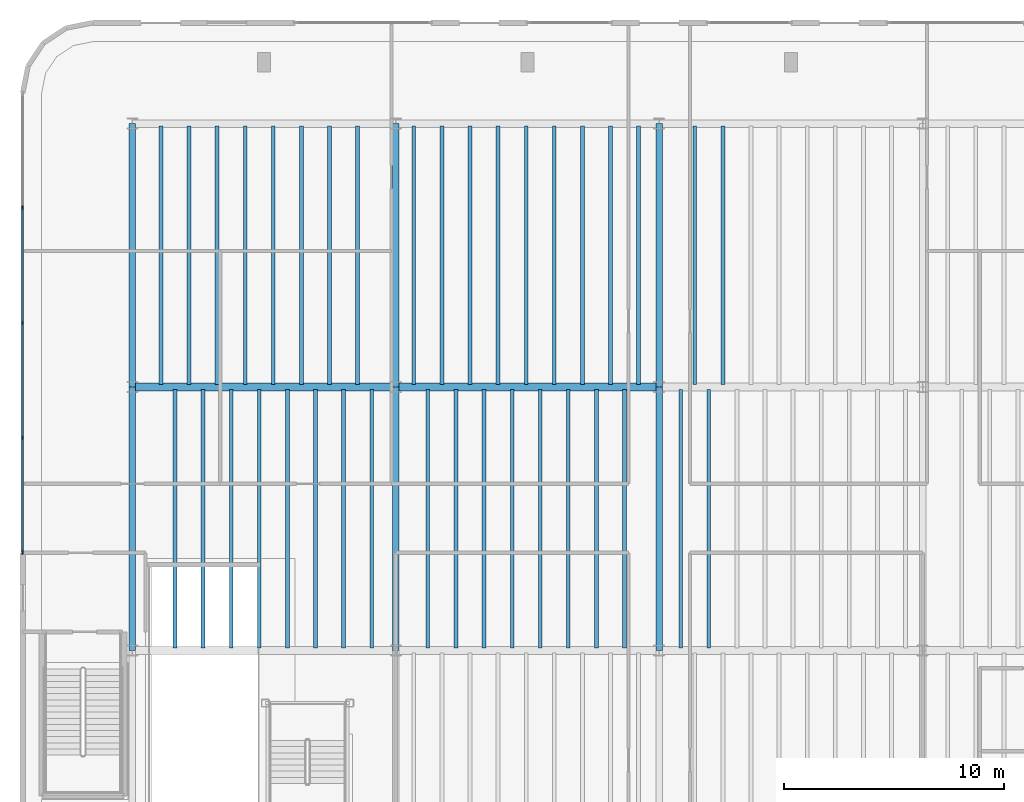
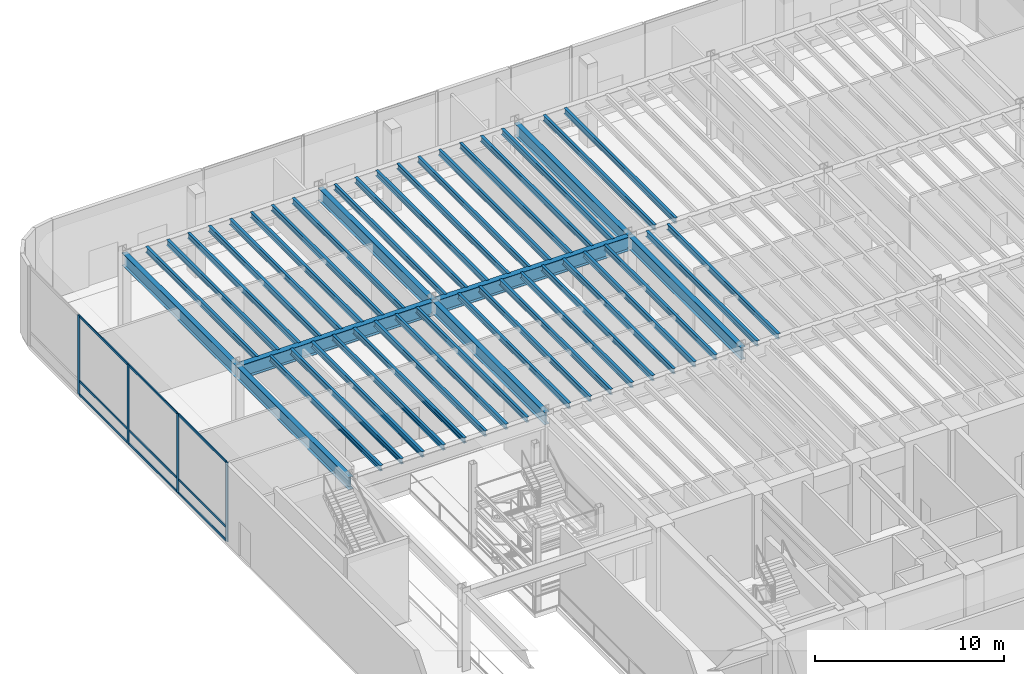
# One storey, part 3 of 17: 45 beams, 13 members, 1 element without a shape of its own.
"""IFC4 building model written with IfcOpenShell, lengths in metres."""

from ifc_helpers import new_model, si_unit, direction, frame, origin, origin_2d, place, context, subcontext, project, spatial, rectangle, i_section, extrude, source, transform, mapped, material, layer, layer_set, material_profile, profile_set, type_object, element, aggregate, save


model = new_model("IFC4")

# Units and contexts
model_context = context("Model", 3, precision=1e-05, world=origin(), true_north=direction((0.0, 1.0)))
body_context = subcontext(model_context, "Body", "Model", "MODEL_VIEW")
ifc_project = project(units=[si_unit("LENGTHUNIT", "METRE"), si_unit("AREAUNIT", "SQUARE_METRE"), si_unit("VOLUMEUNIT", "CUBIC_METRE"), si_unit("PLANEANGLEUNIT", "RADIAN"), si_unit("MASSUNIT", "GRAM", prefix="KILO")], contexts=[model_context])

# Site, building, storey
site_placement = place(None, origin())
site = spatial("IfcSite", under=ifc_project, at=site_placement, CompositionType="ELEMENT")
building_placement = place(site_placement, origin())
building = spatial("IfcBuilding", under=site, at=building_placement, Name="Brelvock Crest Care Tower", CompositionType="ELEMENT")
storey_placement = place(building_placement, origin())
storey = spatial("IfcBuildingStorey", under=building, at=storey_placement, Name="L00", CompositionType="ELEMENT", Elevation=0.0)

# Beams
ifc_material_1 = material(Name="Steel Grade 350", Category="steel")
ifc_material_profile_1 = material_profile(ifc_material_1, i_section(OverallWidth=0.300048828125, OverallDepth=0.800048828125, WebThickness=0.013916015625, FlangeThickness=0.02197265625, at=origin_2d()), Name="800WB192")
ifc_profile_set_1 = profile_set([ifc_material_profile_1], Name="Steel Grade 350")
beam_type_1 = type_object("IfcBeamType", Name="BM-G5", PredefinedType="BEAM", material=ifc_profile_set_1)
shared_shape_1 = source(origin(), body_context, "Body", "SweptSolid", [
    extrude(i_section(OverallWidth=0.300048828125, OverallDepth=0.800048828125, WebThickness=0.013916015625, FlangeThickness=0.02197265625, at=origin_2d()), origin(), (0.0, 0.0, 1.0), 12.0),
])
for number, where, z_axis, x_axis, name in (
    (1, (12.0, 30.0, 4.719970703125), (0.0, 1.0, 0.0), (-1.0, 0.0, 0.0), "BM-PODY-L00-12-30"),
    (2, (12.0, 42.0, 4.719970703125), (0.0, 1.0, 0.0), (-1.0, 0.0, 0.0), "BM-PODY-L00-12-42"),
    (3, (24.0, 30.0, 4.719970703125), (0.0, 1.0, 0.0), (-1.0, 0.0, 0.0), "BM-PODY-L00-24-30"),
    (4, (24.0, 42.0, 4.719970703125), (0.0, 1.0, 0.0), (-1.0, 0.0, 0.0), "BM-PODY-L00-24-42"),
    (5, (36.0, 30.0, 4.719970703125), (0.0, 1.0, 0.0), (-1.0, 0.0, 0.0), "BM-PODY-L00-36-30"),
    (6, (36.0, 42.0, 4.719970703125), (0.0, 1.0, 0.0), (-1.0, 0.0, 0.0), "BM-PODY-L00-36-42"),
):
    element("IfcBeam", number, at=place(storey_placement, frame(where, z_axis=z_axis, x_axis=x_axis)), inside=storey, type_object=beam_type_1, Name=name, PredefinedType="BEAM", context=body_context, shape_type="MappedRepresentation", body=[
        mapped(shared_shape_1, transform((0.0, 0.0, 0.0), x_axis=(1.0, 0.0, 0.0), y_axis=(0.0, 1.0, 0.0), z_axis=(0.0, 0.0, 1.0), scale=1.0)),
    ])
ifc_material_profile_2 = material_profile(ifc_material_1, i_section(OverallWidth=0.35009765625, OverallDepth=0.89990234375, WebThickness=0.01611328125, FlangeThickness=0.028076171875, at=origin_2d()), Name="900WB257")
ifc_profile_set_2 = profile_set([ifc_material_profile_2], Name="Steel Grade 350")
beam_type_2 = type_object("IfcBeamType", Name="BM-G6", PredefinedType="BEAM", material=ifc_profile_set_2)
shared_shape_2 = source(origin(), body_context, "Body", "SweptSolid", [
    extrude(i_section(OverallWidth=0.35009765625, OverallDepth=0.89990234375, WebThickness=0.01611328125, FlangeThickness=0.028076171875, at=origin_2d()), origin(), (0.0, 0.0, 1.0), 12.0),
])
for number, where, z_axis, x_axis, name in (
    (7, (12.0, 42.0, 4.669921875), (1.0, 0.0, 0.0), (0.0, 1.0, 0.0), "BM-PODX-L00-42-12"),
    (8, (24.0, 42.0, 4.669921875), (1.0, 0.0, 0.0), (0.0, 1.0, 0.0), "BM-PODX-L00-42-24"),
):
    element("IfcBeam", number, at=place(storey_placement, frame(where, z_axis=z_axis, x_axis=x_axis)), inside=storey, type_object=beam_type_2, Name=name, PredefinedType="BEAM", context=body_context, shape_type="MappedRepresentation", body=[
        mapped(shared_shape_2, transform((0.0, 0.0, 0.0), x_axis=(1.0, 0.0, 0.0), y_axis=(0.0, 1.0, 0.0), z_axis=(0.0, 0.0, 1.0), scale=1.0)),
    ])
ifc_material_profile_3 = material_profile(ifc_material_1, i_section(OverallWidth=0.172119140625, OverallDepth=0.35888671875, WebThickness=0.008056640625, FlangeThickness=0.012939453125, FilletRadius=0.011474609375, at=origin_2d()), Name="360UB56.7")
ifc_profile_set_3 = profile_set([ifc_material_profile_3], Name="Steel Grade 350")
beam_type_3 = type_object("IfcBeamType", Name="BM-J1", PredefinedType="JOIST", material=ifc_profile_set_3)
shared_shape_3 = source(origin(), body_context, "Body", "SweptSolid", [
    extrude(i_section(OverallWidth=0.172119140625, OverallDepth=0.35888671875, WebThickness=0.008056640625, FlangeThickness=0.012939453125, FilletRadius=0.011474609375, at=origin_2d()), origin(), (0.0, 0.0, 1.0), 11.77001953125),
])
for number, where, z_axis, x_axis, name in (
    (9, (13.93994140625, 30.114990234375, 4.9404296875), (0.0, 1.0, 0.0), (-1.0, 0.0, 0.0), "BM-PODJ-L00-1394-30"),
    (10, (13.300048828125, 42.114990234375, 4.9404296875), (0.0, 1.0, 0.0), (-1.0, 0.0, 0.0), "BM-PODJ-L00-1330-42"),
    (11, (15.219970703125, 30.114990234375, 4.9404296875), (0.0, 1.0, 0.0), (-1.0, 0.0, 0.0), "BM-PODJ-L00-1522-30"),
    (12, (14.580078125, 42.114990234375, 4.9404296875), (0.0, 1.0, 0.0), (-1.0, 0.0, 0.0), "BM-PODJ-L00-1458-42"),
    (13, (16.5, 30.114990234375, 4.9404296875), (0.0, 1.0, 0.0), (-1.0, 0.0, 0.0), "BM-PODJ-L00-1650-30"),
    (14, (15.860107421875, 42.114990234375, 4.9404296875), (0.0, 1.0, 0.0), (-1.0, 0.0, 0.0), "BM-PODJ-L00-1586-42"),
    (15, (17.780029296875, 30.114990234375, 4.9404296875), (0.0, 1.0, 0.0), (-1.0, 0.0, 0.0), "BM-PODJ-L00-1778-30"),
    (16, (17.139892578125, 42.114990234375, 4.9404296875), (0.0, 1.0, 0.0), (-1.0, 0.0, 0.0), "BM-PODJ-L00-1714-42"),
    (17, (19.06005859375, 30.114990234375, 4.9404296875), (0.0, 1.0, 0.0), (-1.0, 0.0, 0.0), "BM-PODJ-L00-1906-30"),
    (18, (18.419921875, 42.114990234375, 4.9404296875), (0.0, 1.0, 0.0), (-1.0, 0.0, 0.0), "BM-PODJ-L00-1842-42"),
    (19, (20.340087890625, 30.114990234375, 4.9404296875), (0.0, 1.0, 0.0), (-1.0, 0.0, 0.0), "BM-PODJ-L00-2034-30"),
    (20, (19.699951171875, 42.114990234375, 4.9404296875), (0.0, 1.0, 0.0), (-1.0, 0.0, 0.0), "BM-PODJ-L00-1970-42"),
    (21, (21.6201171875, 30.114990234375, 4.9404296875), (0.0, 1.0, 0.0), (-1.0, 0.0, 0.0), "BM-PODJ-L00-2162-30"),
    (22, (20.97998046875, 42.114990234375, 4.9404296875), (0.0, 1.0, 0.0), (-1.0, 0.0, 0.0), "BM-PODJ-L00-2098-42"),
    (23, (22.89990234375, 30.114990234375, 4.9404296875), (0.0, 1.0, 0.0), (-1.0, 0.0, 0.0), "BM-PODJ-L00-2290-30"),
    (24, (22.260009765625, 42.114990234375, 4.9404296875), (0.0, 1.0, 0.0), (-1.0, 0.0, 0.0), "BM-PODJ-L00-2226-42"),
    (25, (25.4599609375, 30.114990234375, 4.9404296875), (0.0, 1.0, 0.0), (-1.0, 0.0, 0.0), "BM-PODJ-L00-2546-30"),
    (26, (24.820068359375, 42.114990234375, 4.9404296875), (0.0, 1.0, 0.0), (-1.0, 0.0, 0.0), "BM-PODJ-L00-2482-42"),
    (27, (26.739990234375, 30.114990234375, 4.9404296875), (0.0, 1.0, 0.0), (-1.0, 0.0, 0.0), "BM-PODJ-L00-2674-30"),
    (28, (26.10009765625, 42.114990234375, 4.9404296875), (0.0, 1.0, 0.0), (-1.0, 0.0, 0.0), "BM-PODJ-L00-2610-42"),
    (29, (28.02001953125, 30.114990234375, 4.9404296875), (0.0, 1.0, 0.0), (-1.0, 0.0, 0.0), "BM-PODJ-L00-2802-30"),
    (30, (27.3798828125, 42.114990234375, 4.9404296875), (0.0, 1.0, 0.0), (-1.0, 0.0, 0.0), "BM-PODJ-L00-2738-42"),
    (31, (29.300048828125, 30.114990234375, 4.9404296875), (0.0, 1.0, 0.0), (-1.0, 0.0, 0.0), "BM-PODJ-L00-2930-30"),
    (32, (28.659912109375, 42.114990234375, 4.9404296875), (0.0, 1.0, 0.0), (-1.0, 0.0, 0.0), "BM-PODJ-L00-2866-42"),
    (33, (30.580078125, 30.114990234375, 4.9404296875), (0.0, 1.0, 0.0), (-1.0, 0.0, 0.0), "BM-PODJ-L00-3058-30"),
    (34, (29.93994140625, 42.114990234375, 4.9404296875), (0.0, 1.0, 0.0), (-1.0, 0.0, 0.0), "BM-PODJ-L00-2994-42"),
    (35, (31.860107421875, 30.114990234375, 4.9404296875), (0.0, 1.0, 0.0), (-1.0, 0.0, 0.0), "BM-PODJ-L00-3186-30"),
    (36, (31.219970703125, 42.114990234375, 4.9404296875), (0.0, 1.0, 0.0), (-1.0, 0.0, 0.0), "BM-PODJ-L00-3122-42"),
    (37, (33.139892578125, 30.114990234375, 4.9404296875), (0.0, 1.0, 0.0), (-1.0, 0.0, 0.0), "BM-PODJ-L00-3314-30"),
    (38, (32.5, 42.114990234375, 4.9404296875), (0.0, 1.0, 0.0), (-1.0, 0.0, 0.0), "BM-PODJ-L00-3250-42"),
    (39, (34.419921875, 30.114990234375, 4.9404296875), (0.0, 1.0, 0.0), (-1.0, 0.0, 0.0), "BM-PODJ-L00-3442-30"),
    (40, (33.780029296875, 42.114990234375, 4.9404296875), (0.0, 1.0, 0.0), (-1.0, 0.0, 0.0), "BM-PODJ-L00-3378-42"),
    (41, (35.06005859375, 42.114990234375, 4.9404296875), (0.0, 1.0, 0.0), (-1.0, 0.0, 0.0), "BM-PODJ-L00-3506-42"),
    (42, (36.97998046875, 30.114990234375, 4.9404296875), (0.0, 1.0, 0.0), (-1.0, 0.0, 0.0), "BM-PODJ-L00-3698-30"),
    (43, (38.260009765625, 30.114990234375, 4.9404296875), (0.0, 1.0, 0.0), (-1.0, 0.0, 0.0), "BM-PODJ-L00-3826-30"),
    (44, (37.6201171875, 42.114990234375, 4.9404296875), (0.0, 1.0, 0.0), (-1.0, 0.0, 0.0), "BM-PODJ-L00-3762-42"),
    (45, (38.89990234375, 42.114990234375, 4.9404296875), (0.0, 1.0, 0.0), (-1.0, 0.0, 0.0), "BM-PODJ-L00-3890-42"),
):
    element("IfcBeam", number, at=place(storey_placement, frame(where, z_axis=z_axis, x_axis=x_axis)), inside=storey, type_object=beam_type_3, Name=name, PredefinedType="JOIST", context=body_context, shape_type="MappedRepresentation", body=[
        mapped(shared_shape_3, transform((0.0, 0.0, 0.0), x_axis=(1.0, 0.0, 0.0), y_axis=(0.0, 1.0, 0.0), z_axis=(0.0, 0.0, 1.0), scale=1.0)),
    ])

# Curtain wall, members
ifc_material_2 = material(Name="Dark Glass Double Glazed Low-E", Category="glass")
ifc_layer = layer(ifc_material_2, 0.179931640625, Name="CWS-1")
ifc_layer_set = layer_set([ifc_layer], Name="Dark Glass Double Glazed Low-E")
curtain_wall_type = type_object("IfcCurtainWallType", Name="CWS-1", PredefinedType="NOTDEFINED", material=ifc_layer_set)
curtain_wall_placement = place(storey_placement, origin())
curtain_wall = element("IfcCurtainWall", 46, at=curtain_wall_placement, inside=storey, type_object=curtain_wall_type, Name="L00 Curtain Wall WN", PredefinedType="NOTDEFINED")
ifc_material_3 = material(Name="Aluminium 6063-T6", Category="aluminium")
ifc_material_profile_4 = material_profile(ifc_material_3, rectangle(XDim=0.06494140625, YDim=0.199951171875, at=origin_2d()), Name="ALU65x200")
ifc_profile_set_4 = profile_set([ifc_material_profile_4], Name="Aluminium 6063-T6")
member_type_1 = type_object("IfcMemberType", Name="CWM-1", PredefinedType="MULLION", material=ifc_profile_set_4)
shared_shape_4 = source(origin(), body_context, "Body", "SweptSolid", [
    extrude(rectangle(XDim=0.06494140625, YDim=0.199951171875, at=origin_2d()), origin(), (0.0, 0.0, 1.0), 5.1201171875),
])
member_1_placement = place(storey_placement, frame((7.0, 34.482421875, 0.0), z_axis=(0.0, 0.0, 1.0), x_axis=(-1.0, 0.0, 0.0)))
member_1 = element("IfcMember", 47, at=member_1_placement, type_object=member_type_1, Name="CW-1 mullion 1", PredefinedType="MULLION", context=body_context, shape_type="MappedRepresentation", body=[
    mapped(shared_shape_4, transform((0.0, 0.0, 0.0), x_axis=(1.0, 0.0, 0.0), y_axis=(0.0, 1.0, 0.0), z_axis=(0.0, 0.0, 1.0), scale=1.0)),
])
member_2_placement = place(storey_placement, frame((7.0, 39.6875, 0.0), z_axis=(0.0, 0.0, 1.0), x_axis=(-1.0, 0.0, 0.0)))
member_2 = element("IfcMember", 48, at=member_2_placement, type_object=member_type_1, Name="CW-1 mullion 2", PredefinedType="MULLION", context=body_context, shape_type="MappedRepresentation", body=[
    mapped(shared_shape_4, transform((0.0, 0.0, 0.0), x_axis=(1.0, 0.0, 0.0), y_axis=(0.0, 1.0, 0.0), z_axis=(0.0, 0.0, 1.0), scale=1.0)),
])
member_3_placement = place(storey_placement, frame((7.0, 44.925048828125, 0.0), z_axis=(0.0, 0.0, 1.0), x_axis=(-1.0, 0.0, 0.0)))
member_3 = element("IfcMember", 49, at=member_3_placement, type_object=member_type_1, Name="CW-1 mullion 3", PredefinedType="MULLION", context=body_context, shape_type="MappedRepresentation", body=[
    mapped(shared_shape_4, transform((0.0, 0.0, 0.0), x_axis=(1.0, 0.0, 0.0), y_axis=(0.0, 1.0, 0.0), z_axis=(0.0, 0.0, 1.0), scale=1.0)),
])
member_4_placement = place(storey_placement, frame((7.0, 50.16259765625, 0.0), z_axis=(0.0, 0.0, 1.0), x_axis=(-1.0, 0.0, 0.0)))
member_4 = element("IfcMember", 50, at=member_4_placement, type_object=member_type_1, Name="CW-1 mullion 4", PredefinedType="MULLION", context=body_context, shape_type="MappedRepresentation", body=[
    mapped(shared_shape_4, transform((0.0, 0.0, 0.0), x_axis=(1.0, 0.0, 0.0), y_axis=(0.0, 1.0, 0.0), z_axis=(0.0, 0.0, 1.0), scale=1.0)),
])
ifc_material_profile_5 = material_profile(ifc_material_3, rectangle(XDim=0.06494140625, YDim=0.14990234375, at=origin_2d()), Name="ALU65x150")
ifc_profile_set_5 = profile_set([ifc_material_profile_5], Name="Aluminium 6063-T6")
member_type_2 = type_object("IfcMemberType", Name="CWT-1", PredefinedType="USERDEFINED", material=ifc_profile_set_5)
shared_shape_5 = source(origin(), body_context, "Body", "SweptSolid", [
    extrude(rectangle(XDim=0.06494140625, YDim=0.14990234375, at=origin_2d()), origin(), (0.0, 0.0, 1.0), 5.14013671875),
])
member_5_placement = place(storey_placement, frame((7.0, 34.514892578125, 0.032470703125), z_axis=(0.0, 1.0, 0.0), x_axis=(-1.0, 0.0, 0.0)))
member_5 = element("IfcMember", 51, at=member_5_placement, type_object=member_type_2, Name="CW-1 transom 1.1", ObjectType="TRANSOM", PredefinedType="USERDEFINED", context=body_context, shape_type="MappedRepresentation", body=[
    mapped(shared_shape_5, transform((0.0, 0.0, 0.0), x_axis=(1.0, 0.0, 0.0), y_axis=(0.0, 1.0, 0.0), z_axis=(0.0, 0.0, 1.0), scale=1.0)),
])
member_6_placement = place(storey_placement, frame((7.0, 34.514892578125, 0.89990234375), z_axis=(0.0, 1.0, 0.0), x_axis=(-1.0, 0.0, 0.0)))
member_6 = element("IfcMember", 52, at=member_6_placement, type_object=member_type_2, Name="CW-1 transom 1.2", ObjectType="TRANSOM", PredefinedType="USERDEFINED", context=body_context, shape_type="MappedRepresentation", body=[
    mapped(shared_shape_5, transform((0.0, 0.0, 0.0), x_axis=(1.0, 0.0, 0.0), y_axis=(0.0, 1.0, 0.0), z_axis=(0.0, 0.0, 1.0), scale=1.0)),
])
member_7_placement = place(storey_placement, frame((7.0, 34.514892578125, 5.08740234375), z_axis=(0.0, 1.0, 0.0), x_axis=(-1.0, 0.0, 0.0)))
member_7 = element("IfcMember", 53, at=member_7_placement, type_object=member_type_2, Name="CW-1 transom 1.3", ObjectType="TRANSOM", PredefinedType="USERDEFINED", context=body_context, shape_type="MappedRepresentation", body=[
    mapped(shared_shape_5, transform((0.0, 0.0, 0.0), x_axis=(1.0, 0.0, 0.0), y_axis=(0.0, 1.0, 0.0), z_axis=(0.0, 0.0, 1.0), scale=1.0)),
])
shared_shape_6 = source(origin(), body_context, "Body", "SweptSolid", [
    extrude(rectangle(XDim=0.06494140625, YDim=0.14990234375, at=origin_2d()), origin(), (0.0, 0.0, 1.0), 5.172607421875),
])
member_8_placement = place(storey_placement, frame((7.0, 39.719970703125, 0.032470703125), z_axis=(0.0, 1.0, 0.0), x_axis=(-1.0, 0.0, 0.0)))
member_8 = element("IfcMember", 54, at=member_8_placement, type_object=member_type_2, Name="CW-1 transom 2.1", ObjectType="TRANSOM", PredefinedType="USERDEFINED", context=body_context, shape_type="MappedRepresentation", body=[
    mapped(shared_shape_6, transform((0.0, 0.0, 0.0), x_axis=(1.0, 0.0, 0.0), y_axis=(0.0, 1.0, 0.0), z_axis=(0.0, 0.0, 1.0), scale=1.0)),
])
member_9_placement = place(storey_placement, frame((7.0, 39.719970703125, 0.89990234375), z_axis=(0.0, 1.0, 0.0), x_axis=(-1.0, 0.0, 0.0)))
member_9 = element("IfcMember", 55, at=member_9_placement, type_object=member_type_2, Name="CW-1 transom 2.2", ObjectType="TRANSOM", PredefinedType="USERDEFINED", context=body_context, shape_type="MappedRepresentation", body=[
    mapped(shared_shape_6, transform((0.0, 0.0, 0.0), x_axis=(1.0, 0.0, 0.0), y_axis=(0.0, 1.0, 0.0), z_axis=(0.0, 0.0, 1.0), scale=1.0)),
])
member_10_placement = place(storey_placement, frame((7.0, 39.719970703125, 5.08740234375), z_axis=(0.0, 1.0, 0.0), x_axis=(-1.0, 0.0, 0.0)))
member_10 = element("IfcMember", 56, at=member_10_placement, type_object=member_type_2, Name="CW-1 transom 2.3", ObjectType="TRANSOM", PredefinedType="USERDEFINED", context=body_context, shape_type="MappedRepresentation", body=[
    mapped(shared_shape_6, transform((0.0, 0.0, 0.0), x_axis=(1.0, 0.0, 0.0), y_axis=(0.0, 1.0, 0.0), z_axis=(0.0, 0.0, 1.0), scale=1.0)),
])
shared_shape_7 = source(origin(), body_context, "Body", "SweptSolid", [
    extrude(rectangle(XDim=0.06494140625, YDim=0.14990234375, at=origin_2d()), origin(), (0.0, 0.0, 1.0), 5.17236328125),
])
member_11_placement = place(storey_placement, frame((7.0, 44.95751953125, 0.032470703125), z_axis=(0.0, 1.0, 0.0), x_axis=(-1.0, 0.0, 0.0)))
member_11 = element("IfcMember", 57, at=member_11_placement, type_object=member_type_2, Name="CW-1 transom 3.1", ObjectType="TRANSOM", PredefinedType="USERDEFINED", context=body_context, shape_type="MappedRepresentation", body=[
    mapped(shared_shape_7, transform((0.0, 0.0, 0.0), x_axis=(1.0, 0.0, 0.0), y_axis=(0.0, 1.0, 0.0), z_axis=(0.0, 0.0, 1.0), scale=1.0)),
])
member_12_placement = place(storey_placement, frame((7.0, 44.95751953125, 0.89990234375), z_axis=(0.0, 1.0, 0.0), x_axis=(-1.0, 0.0, 0.0)))
member_12 = element("IfcMember", 58, at=member_12_placement, type_object=member_type_2, Name="CW-1 transom 3.2", ObjectType="TRANSOM", PredefinedType="USERDEFINED", context=body_context, shape_type="MappedRepresentation", body=[
    mapped(shared_shape_7, transform((0.0, 0.0, 0.0), x_axis=(1.0, 0.0, 0.0), y_axis=(0.0, 1.0, 0.0), z_axis=(0.0, 0.0, 1.0), scale=1.0)),
])
member_13_placement = place(storey_placement, frame((7.0, 44.95751953125, 5.08740234375), z_axis=(0.0, 1.0, 0.0), x_axis=(-1.0, 0.0, 0.0)))
member_13 = element("IfcMember", 59, at=member_13_placement, type_object=member_type_2, Name="CW-1 transom 3.3", ObjectType="TRANSOM", PredefinedType="USERDEFINED", context=body_context, shape_type="MappedRepresentation", body=[
    mapped(shared_shape_7, transform((0.0, 0.0, 0.0), x_axis=(1.0, 0.0, 0.0), y_axis=(0.0, 1.0, 0.0), z_axis=(0.0, 0.0, 1.0), scale=1.0)),
])
aggregate(curtain_wall, [member_1, member_2, member_3, member_4, member_5, member_6, member_7, member_8, member_9, member_10, member_11, member_12, member_13])

save(model, "model.ifc")
